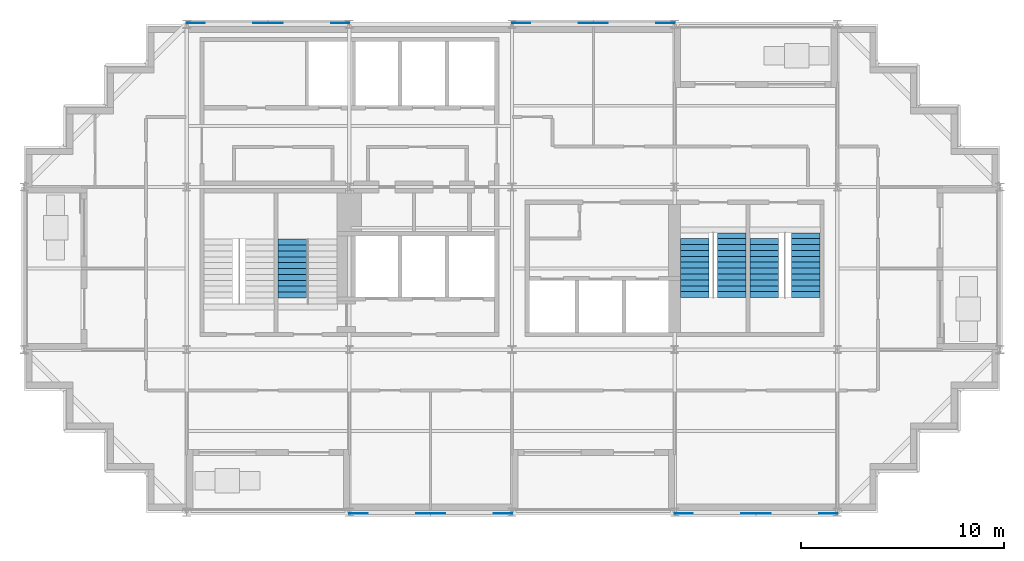
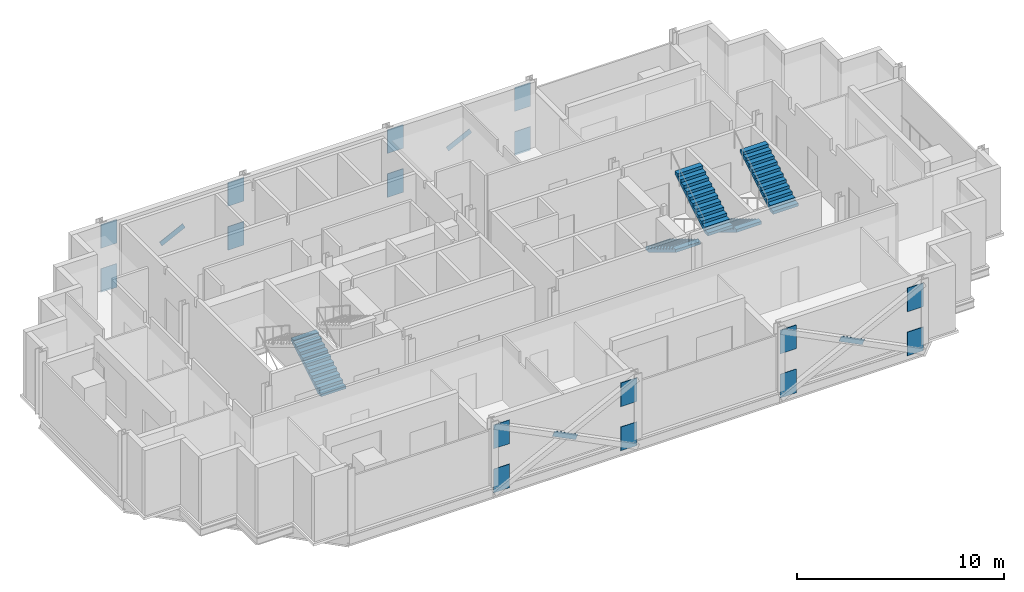
# One storey, part 8 of 10: 20 discrete accessories, 5 stair flights, 3 elements without a shape of their own.
"""IFC4 building model written with IfcOpenShell, lengths in metres."""

from ifc_helpers import new_model, si_unit, direction, frame, origin, origin_2d, place, context, subcontext, project, spatial, polyline, rectangle, outline, extrude, material, material_profile, profile_set, type_object, element, aggregate, save


model = new_model("IFC4")

# Units and contexts
model_context = context("Model", 3, precision=1e-05, world=origin(), true_north=direction((0.0, 1.0)))
body_context = subcontext(model_context, "Body", "Model", "MODEL_VIEW")
ifc_project = project(units=[si_unit("LENGTHUNIT", "METRE"), si_unit("AREAUNIT", "SQUARE_METRE"), si_unit("VOLUMEUNIT", "CUBIC_METRE"), si_unit("PLANEANGLEUNIT", "RADIAN"), si_unit("MASSUNIT", "GRAM", prefix="KILO")], contexts=[model_context])

# Site, building, storey
site_placement = place(None, origin())
site = spatial("IfcSite", under=ifc_project, at=site_placement, CompositionType="ELEMENT")
building_placement = place(site_placement, origin())
building = spatial("IfcBuilding", under=site, at=building_placement, Name="Immortelle Media Tower", CompositionType="ELEMENT")
storey_placement = place(building_placement, frame((0.0, 0.0, 217.0)))
storey = spatial("IfcBuildingStorey", under=building, at=storey_placement, Name="L46", CompositionType="ELEMENT", Elevation=217.0)

# Stair, stair flight
ifc_material_1 = material(Name="Steel ASTM A992 Gr 50", Category="steel")
stair_type = type_object("IfcStairType", Name="Stair with flights", PredefinedType="DOUBLE_RETURN_STAIR", material=ifc_material_1)
stair_1_placement = place(storey_placement, origin())
stair_1 = element("IfcStair", 1, at=stair_1_placement, inside=storey, type_object=stair_type, Name="Exit stair SW2", PredefinedType="DOUBLE_RETURN_STAIR")
stair_flight_type = type_object("IfcStairFlightType", Name="Stair flight 1400", PredefinedType="STRAIGHT", material=ifc_material_1)
stair_flight_1_placement = place(storey_placement, frame((13.199951171875, 10.5400390625, 0.0), z_axis=(0.0, 0.0, 1.0), x_axis=(0.0, 1.0, 0.0)))
stair_flight_1 = element("IfcStairFlight", 2, at=stair_flight_1_placement, type_object=stair_flight_type, Name="ST SW2 flight 1", NumberOfRisers=11, NumberOfTreads=10, PredefinedType="STRAIGHT", RiserHeight=0.173913043, TreadLength=0.29, context=body_context, shape_type="SweptSolid", body=[
    extrude(outline(polyline([(0.0, 0.0), (0.0, 0.173828125), (0.2900390625, 0.173828125), (0.2900390625, 0.347900390625), (0.580078125, 0.347900390625), (0.580078125, 0.521728515625), (0.8701171875, 0.521728515625), (0.8701171875, 0.695556640625), (1.159912109375, 0.695556640625), (1.159912109375, 0.86962890625), (1.449951171875, 0.86962890625), (1.449951171875, 1.04345703125), (1.739990234375, 1.04345703125), (1.739990234375, 1.21728515625), (2.030029296875, 1.21728515625), (2.030029296875, 1.391357421875), (2.320068359375, 1.391357421875), (2.320068359375, 1.565185546875), (2.610107421875, 1.565185546875), (2.610107421875, 1.739013671875), (2.89990234375, 1.739013671875), (2.89990234375, 1.9130859375), (2.89990234375, 1.564453125), (0.29150390625, 0.0), (0.0, 0.0)])), frame((0.0, 0.699951171875, 0.0), z_axis=(0.0, -1.0, 0.0), x_axis=(1.0, 0.0, 0.0)), (0.0, 0.0, 1.0), 1.39990234375),
])
aggregate(stair_1, [stair_flight_1])

# Stair, stair flights
stair_2_placement = place(storey_placement, origin())
stair_2 = element("IfcStair", 3, at=stair_2_placement, inside=storey, type_object=stair_type, Name="Exit stair SE1", PredefinedType="DOUBLE_RETURN_STAIR")
stair_flight_2_placement = place(storey_placement, frame((33.0, 13.4599609375, 0.0), z_axis=(0.0, 0.0, 1.0), x_axis=(0.0, -1.0, 0.0)))
stair_flight_2 = element("IfcStairFlight", 4, at=stair_flight_2_placement, type_object=stair_flight_type, Name="ST SE1 flight 1", NumberOfRisers=11, NumberOfTreads=10, PredefinedType="STRAIGHT", RiserHeight=0.173913043, TreadLength=0.29, context=body_context, shape_type="SweptSolid", body=[
    extrude(outline(polyline([(0.0, 0.0), (0.0, 0.173828125), (0.2900390625, 0.173828125), (0.2900390625, 0.347900390625), (0.580078125, 0.347900390625), (0.580078125, 0.521728515625), (0.8701171875, 0.521728515625), (0.8701171875, 0.695556640625), (1.159912109375, 0.695556640625), (1.159912109375, 0.86962890625), (1.449951171875, 0.86962890625), (1.449951171875, 1.04345703125), (1.739990234375, 1.04345703125), (1.739990234375, 1.21728515625), (2.030029296875, 1.21728515625), (2.030029296875, 1.391357421875), (2.320068359375, 1.391357421875), (2.320068359375, 1.565185546875), (2.610107421875, 1.565185546875), (2.610107421875, 1.739013671875), (2.89990234375, 1.739013671875), (2.89990234375, 1.9130859375), (2.89990234375, 1.564453125), (0.29150390625, 0.0), (0.0, 0.0)])), frame((0.0, 0.699951171875, 0.0), z_axis=(0.0, -1.0, 0.0), x_axis=(1.0, 0.0, 0.0)), (0.0, 0.0, 1.0), 1.39990234375),
])
stair_flight_3_placement = place(storey_placement, frame((34.800048828125, 10.56005859375, 1.9130859375), z_axis=(0.0, 0.0, 1.0), x_axis=(0.0, 1.0, 0.0)))
stair_flight_3 = element("IfcStairFlight", 5, at=stair_flight_3_placement, type_object=stair_flight_type, Name="ST SE1 flight 2", NumberOfRisers=12, NumberOfTreads=11, PredefinedType="STRAIGHT", RiserHeight=0.173913043, TreadLength=0.29, context=body_context, shape_type="SweptSolid", body=[
    extrude(outline(polyline([(0.0, 0.0), (0.0, 0.173828125), (0.2900390625, 0.173828125), (0.2900390625, 0.347900390625), (0.580078125, 0.347900390625), (0.580078125, 0.521728515625), (0.8701171875, 0.521728515625), (0.8701171875, 0.695556640625), (1.159912109375, 0.695556640625), (1.159912109375, 0.86962890625), (1.449951171875, 0.86962890625), (1.449951171875, 1.04345703125), (1.739990234375, 1.04345703125), (1.739990234375, 1.21728515625), (2.030029296875, 1.21728515625), (2.030029296875, 1.391357421875), (2.320068359375, 1.391357421875), (2.320068359375, 1.565185546875), (2.610107421875, 1.565185546875), (2.610107421875, 1.739013671875), (2.89990234375, 1.739013671875), (2.89990234375, 1.9130859375), (3.18994140625, 1.9130859375), (3.18994140625, 2.0869140625), (3.18994140625, 1.73828125), (0.29150390625, 0.0), (0.0, 0.0)])), frame((0.0, 0.699951171875, 0.0), z_axis=(0.0, -1.0, 0.0), x_axis=(1.0, 0.0, 0.0)), (0.0, 0.0, 1.0), 1.39990234375),
])
aggregate(stair_2, [stair_flight_2, stair_flight_3])

stair_3_placement = place(storey_placement, origin())
stair_3 = element("IfcStair", 6, at=stair_3_placement, inside=storey, type_object=stair_type, Name="Exit stair SE2", PredefinedType="DOUBLE_RETURN_STAIR")
stair_flight_4_placement = place(storey_placement, frame((36.39990234375, 13.4599609375, 0.0), z_axis=(0.0, 0.0, 1.0), x_axis=(0.0, -1.0, 0.0)))
stair_flight_4 = element("IfcStairFlight", 7, at=stair_flight_4_placement, type_object=stair_flight_type, Name="ST SE2 flight 1", NumberOfRisers=11, NumberOfTreads=10, PredefinedType="STRAIGHT", RiserHeight=0.173913043, TreadLength=0.29, context=body_context, shape_type="SweptSolid", body=[
    extrude(outline(polyline([(0.0, 0.0), (0.0, 0.173828125), (0.2900390625, 0.173828125), (0.2900390625, 0.347900390625), (0.580078125, 0.347900390625), (0.580078125, 0.521728515625), (0.8701171875, 0.521728515625), (0.8701171875, 0.695556640625), (1.159912109375, 0.695556640625), (1.159912109375, 0.86962890625), (1.449951171875, 0.86962890625), (1.449951171875, 1.04345703125), (1.739990234375, 1.04345703125), (1.739990234375, 1.21728515625), (2.030029296875, 1.21728515625), (2.030029296875, 1.391357421875), (2.320068359375, 1.391357421875), (2.320068359375, 1.565185546875), (2.610107421875, 1.565185546875), (2.610107421875, 1.739013671875), (2.89990234375, 1.739013671875), (2.89990234375, 1.9130859375), (2.89990234375, 1.564453125), (0.29150390625, 0.0), (0.0, 0.0)])), frame((0.0, 0.699951171875, 0.0), z_axis=(0.0, -1.0, 0.0), x_axis=(1.0, 0.0, 0.0)), (0.0, 0.0, 1.0), 1.39990234375),
])
stair_flight_5_placement = place(storey_placement, frame((38.449951171875, 10.56005859375, 1.9130859375), z_axis=(0.0, 0.0, 1.0), x_axis=(0.0, 1.0, 0.0)))
stair_flight_5 = element("IfcStairFlight", 8, at=stair_flight_5_placement, type_object=stair_flight_type, Name="ST SE2 flight 2", NumberOfRisers=12, NumberOfTreads=11, PredefinedType="STRAIGHT", RiserHeight=0.173913043, TreadLength=0.29, context=body_context, shape_type="SweptSolid", body=[
    extrude(outline(polyline([(0.0, 0.0), (0.0, 0.173828125), (0.2900390625, 0.173828125), (0.2900390625, 0.347900390625), (0.580078125, 0.347900390625), (0.580078125, 0.521728515625), (0.8701171875, 0.521728515625), (0.8701171875, 0.695556640625), (1.159912109375, 0.695556640625), (1.159912109375, 0.86962890625), (1.449951171875, 0.86962890625), (1.449951171875, 1.04345703125), (1.739990234375, 1.04345703125), (1.739990234375, 1.21728515625), (2.030029296875, 1.21728515625), (2.030029296875, 1.391357421875), (2.320068359375, 1.391357421875), (2.320068359375, 1.565185546875), (2.610107421875, 1.565185546875), (2.610107421875, 1.739013671875), (2.89990234375, 1.739013671875), (2.89990234375, 1.9130859375), (3.18994140625, 1.9130859375), (3.18994140625, 2.0869140625), (3.18994140625, 1.73828125), (0.29150390625, 0.0), (0.0, 0.0)])), frame((0.0, 0.699951171875, 0.0), z_axis=(0.0, -1.0, 0.0), x_axis=(1.0, 0.0, 0.0)), (0.0, 0.0, 1.0), 1.39990234375),
])
aggregate(stair_3, [stair_flight_4, stair_flight_5])

# Discrete accessories
ifc_material_2 = material(Name="Steel ASTM A572 Gr 50", Category="steel")
ifc_material_profile_1 = material_profile(ifc_material_2, rectangle(XDim=0.02392578125, YDim=0.304931640625, at=origin_2d()), Name="PL 24 x 305")
ifc_profile_set_1 = profile_set([ifc_material_profile_1], Name="Steel ASTM A572 Gr 50")
discrete_accessory_type_1 = type_object("IfcDiscreteAccessoryType", Name="Crossing plate XP-BR6 1450 x 305 x 24", PredefinedType="USERDEFINED", material=ifc_profile_set_1)
for number, where, z_axis, x_axis, name in (
    (9, (28.6484375, 24.0625, 1.8681640625), (-0.894427191, 0.0, -0.4472135955), (0.0, -1.0, 0.0), "Crossing plate XP-BR6 of Brace D/4-5 A and Brace D/4-5 B"),
    (10, (12.6484375, 24.0625, 1.8681640625), (-0.894427191, 0.0, -0.4472135955), (0.0, -1.0, 0.0), "Crossing plate XP-BR6 of Brace D/2-3 A and Brace D/2-3 B"),
    (11, (19.3515625, -0.0625, 1.8681640625), (0.894427191, 0.0, -0.4472135955), (0.0, 1.0, 0.0), "Crossing plate XP-BR6 of Brace A/3-4 A and Brace A/3-4 B"),
    (12, (35.3515625, -0.0625, 1.8681640625), (0.894427191, 0.0, -0.4472135955), (0.0, 1.0, 0.0), "Crossing plate XP-BR6 of Brace A/5-6 A and Brace A/5-6 B"),
):
    element("IfcDiscreteAccessory", number, at=place(storey_placement, frame(where, z_axis=z_axis, x_axis=x_axis)), inside=storey, type_object=discrete_accessory_type_1, Name=name, ObjectType="CROSSING PLATE", PredefinedType="USERDEFINED", context=body_context, shape_type="SweptSolid", body=[
        extrude(rectangle(XDim=0.02392578125, YDim=0.304931640625, at=origin_2d()), origin(), (0.0, 0.0, 1.0), 1.449951171875),
    ])
ifc_material_profile_2 = material_profile(ifc_material_2, rectangle(XDim=0.031982421875, YDim=1.39990234375, at=origin_2d()), Name="PL 32 x 1400")
ifc_profile_set_2 = profile_set([ifc_material_profile_2], Name="Steel ASTM A572 Gr 50")
discrete_accessory_type_2 = type_object("IfcDiscreteAccessoryType", Name="Gusset plate GP1 900 x 1400 x 32", PredefinedType="USERDEFINED", material=ifc_profile_set_2)
for number, where, z_axis, x_axis, name in (
    (13, (16.0, -0.0625, 0.243896484375), (1.0, 0.0, 0.0), (0.0, 1.0, 0.0), "Gusset plate GP1, lower end of Brace A/3-4 A"),
    (14, (24.0, -0.0625, 2.843994140625), (-1.0, 0.0, 0.0), (0.0, -1.0, 0.0), "Gusset plate GP1, upper end of Brace A/3-4 A"),
    (15, (24.0, -0.0625, 0.243896484375), (-1.0, 0.0, 0.0), (0.0, -1.0, 0.0), "Gusset plate GP1, lower end of Brace A/3-4 B"),
    (16, (16.0, -0.0625, 2.843994140625), (1.0, 0.0, 0.0), (0.0, 1.0, 0.0), "Gusset plate GP1, upper end of Brace A/3-4 B"),
    (17, (32.0, -0.0625, 0.243896484375), (1.0, 0.0, 0.0), (0.0, 1.0, 0.0), "Gusset plate GP1, lower end of Brace A/5-6 A"),
    (18, (40.0, -0.0625, 2.843994140625), (-1.0, 0.0, 0.0), (0.0, -1.0, 0.0), "Gusset plate GP1, upper end of Brace A/5-6 A"),
    (19, (40.0, -0.0625, 0.243896484375), (-1.0, 0.0, 0.0), (0.0, -1.0, 0.0), "Gusset plate GP1, lower end of Brace A/5-6 B"),
    (20, (32.0, -0.0625, 2.843994140625), (1.0, 0.0, 0.0), (0.0, 1.0, 0.0), "Gusset plate GP1, upper end of Brace A/5-6 B"),
    (21, (32.0, 24.0625, 0.243896484375), (-1.0, 0.0, 0.0), (0.0, -1.0, 0.0), "Gusset plate GP1, lower end of Brace D/4-5 A"),
    (22, (24.0, 24.0625, 2.843994140625), (1.0, 0.0, 0.0), (0.0, 1.0, 0.0), "Gusset plate GP1, upper end of Brace D/4-5 A"),
    (23, (24.0, 24.0625, 0.243896484375), (1.0, 0.0, 0.0), (0.0, 1.0, 0.0), "Gusset plate GP1, lower end of Brace D/4-5 B"),
    (24, (32.0, 24.0625, 2.843994140625), (-1.0, 0.0, 0.0), (0.0, -1.0, 0.0), "Gusset plate GP1, upper end of Brace D/4-5 B"),
    (25, (16.0, 24.0625, 0.243896484375), (-1.0, 0.0, 0.0), (0.0, -1.0, 0.0), "Gusset plate GP1, lower end of Brace D/2-3 A"),
    (26, (8.0, 24.0625, 2.843994140625), (1.0, 0.0, 0.0), (0.0, 1.0, 0.0), "Gusset plate GP1, upper end of Brace D/2-3 A"),
    (27, (8.0, 24.0625, 0.243896484375), (1.0, 0.0, 0.0), (0.0, 1.0, 0.0), "Gusset plate GP1, lower end of Brace D/2-3 B"),
    (28, (16.0, 24.0625, 2.843994140625), (-1.0, 0.0, 0.0), (0.0, -1.0, 0.0), "Gusset plate GP1, upper end of Brace D/2-3 B"),
):
    element("IfcDiscreteAccessory", number, at=place(storey_placement, frame(where, z_axis=z_axis, x_axis=x_axis)), inside=storey, type_object=discrete_accessory_type_2, Name=name, ObjectType="GUSSET PLATE", PredefinedType="USERDEFINED", context=body_context, shape_type="SweptSolid", body=[
        extrude(rectangle(XDim=0.031982421875, YDim=1.39990234375, at=origin_2d()), origin(), (0.0, 0.0, 1.0), 0.89990234375),
    ])

save(model, "model.ifc")
